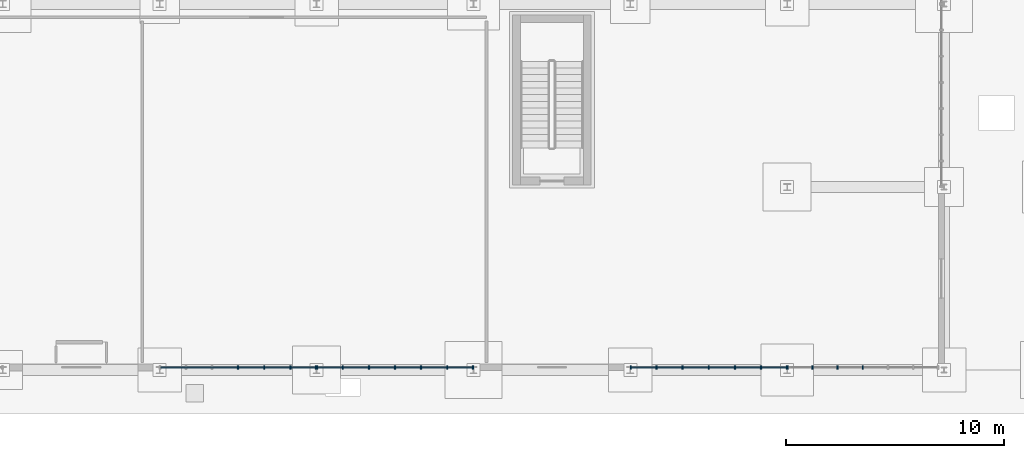
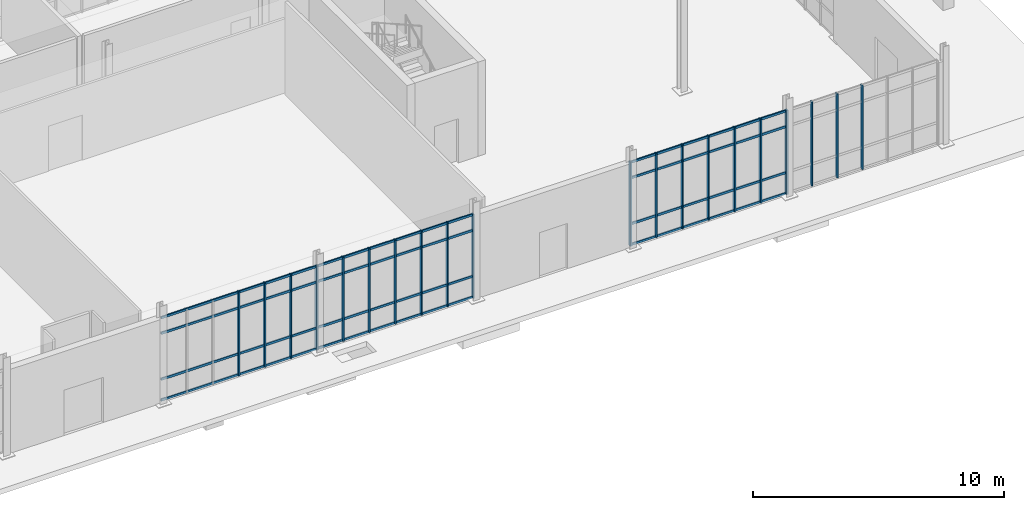
# One storey, part 46 of 118: 34 members, 4 elements without a shape of their own.
"""IFC4 building model written with IfcOpenShell, lengths in metres."""

from ifc_helpers import new_model, si_unit, direction, frame, origin, origin_2d, place, context, subcontext, project, spatial, rectangle, extrude, material, material_profile, profile_set, type_object, element, aggregate, save


model = new_model("IFC4")

# Units and contexts
model_context = context("Model", 3, precision=1e-05, world=origin(), true_north=direction((0.0, 1.0)))
body_context = subcontext(model_context, "Body", "Model", "MODEL_VIEW")
ifc_project = project(units=[si_unit("LENGTHUNIT", "METRE"), si_unit("AREAUNIT", "SQUARE_METRE"), si_unit("VOLUMEUNIT", "CUBIC_METRE"), si_unit("PLANEANGLEUNIT", "RADIAN"), si_unit("MASSUNIT", "GRAM", prefix="KILO")], contexts=[model_context])

# Site, building, storey
site_placement = place(None, origin())
site = spatial("IfcSite", under=ifc_project, at=site_placement, CompositionType="ELEMENT")
building_placement = place(site_placement, origin())
building = spatial("IfcBuilding", under=site, at=building_placement, Name="Qelthora Terrace Specialist Clinic", CompositionType="ELEMENT")
storey_placement = place(building_placement, origin())
storey = spatial("IfcBuildingStorey", under=building, at=storey_placement, Name="L00", CompositionType="ELEMENT", Elevation=0.0)

# Curtain wall, members
ifc_material = material(Name="Aluminium anodized bronze", Category="aluminium")
curtain_wall_type = type_object("IfcCurtainWallType", Name="CW-CONS-X", PredefinedType="NOTDEFINED", material=ifc_material)
curtain_wall_1_placement = place(storey_placement, origin())
curtain_wall_1 = element("IfcCurtainWall", 1, at=curtain_wall_1_placement, inside=storey, type_object=curtain_wall_type, Name="Curtain wall CW-L00-207", PredefinedType="NOTDEFINED")
ifc_material_profile_1 = material_profile(ifc_material, rectangle(XDim=0.06005859375, YDim=0.14990234375, at=origin_2d()), Name="CWM60X150")
ifc_profile_set_1 = profile_set([ifc_material_profile_1], Name="Aluminium anodized bronze")
member_type_1 = type_object("IfcMemberType", Name="CWM-60X150", PredefinedType="MULLION", material=ifc_profile_set_1)
member_1_placement = place(storey_placement, frame((126.0, 0.1201171875, 0.0), z_axis=(0.0, 0.0, 1.0), x_axis=(1.0, 0.0, 0.0)))
member_1 = element("IfcMember", 2, at=member_1_placement, type_object=member_type_1, Name="CW-L00-207 mullion 4", PredefinedType="MULLION", context=body_context, shape_type="SweptSolid", body=[
    extrude(rectangle(XDim=0.06005859375, YDim=0.14990234375, at=origin_2d()), origin(), (0.0, 0.0, 1.0), 4.08203125),
])
member_2_placement = place(storey_placement, frame((127.199951171875, 0.1201171875, 0.0), z_axis=(0.0, 0.0, 1.0), x_axis=(1.0, 0.0, 0.0)))
member_2 = element("IfcMember", 3, at=member_2_placement, type_object=member_type_1, Name="CW-L00-207 mullion 5", PredefinedType="MULLION", context=body_context, shape_type="SweptSolid", body=[
    extrude(rectangle(XDim=0.06005859375, YDim=0.14990234375, at=origin_2d()), origin(), (0.0, 0.0, 1.0), 4.08203125),
])
member_3_placement = place(storey_placement, frame((128.39990234375, 0.1201171875, 0.0), z_axis=(0.0, 0.0, 1.0), x_axis=(1.0, 0.0, 0.0)))
member_3 = element("IfcMember", 4, at=member_3_placement, type_object=member_type_1, Name="CW-L00-207 mullion 6", PredefinedType="MULLION", context=body_context, shape_type="SweptSolid", body=[
    extrude(rectangle(XDim=0.06005859375, YDim=0.14990234375, at=origin_2d()), origin(), (0.0, 0.0, 1.0), 4.08203125),
])
member_4_placement = place(storey_placement, frame((129.580078125, 0.1201171875, 0.0), z_axis=(0.0, 0.0, 1.0), x_axis=(1.0, 0.0, 0.0)))
member_4 = element("IfcMember", 5, at=member_4_placement, type_object=member_type_1, Name="CW-L00-207 mullion 7", PredefinedType="MULLION", context=body_context, shape_type="SweptSolid", body=[
    extrude(rectangle(XDim=0.06005859375, YDim=0.14990234375, at=origin_2d()), origin(), (0.0, 0.0, 1.0), 4.08203125),
])

curtain_wall_2_placement = place(storey_placement, origin())
curtain_wall_2 = element("IfcCurtainWall", 6, at=curtain_wall_2_placement, inside=storey, type_object=curtain_wall_type, Name="Curtain wall CW-L00-208", PredefinedType="NOTDEFINED")
member_5_placement = place(storey_placement, frame((129.6201171875, 0.1201171875, 0.0), z_axis=(0.0, 0.0, 1.0), x_axis=(1.0, 0.0, 0.0)))
member_5 = element("IfcMember", 7, at=member_5_placement, type_object=member_type_1, Name="CW-L00-208 mullion 1", PredefinedType="MULLION", context=body_context, shape_type="SweptSolid", body=[
    extrude(rectangle(XDim=0.06005859375, YDim=0.14990234375, at=origin_2d()), origin(), (0.0, 0.0, 1.0), 4.08203125),
])
member_6_placement = place(storey_placement, frame((130.800048828125, 0.1201171875, 0.0), z_axis=(0.0, 0.0, 1.0), x_axis=(1.0, 0.0, 0.0)))
member_6 = element("IfcMember", 8, at=member_6_placement, type_object=member_type_1, Name="CW-L00-208 mullion 2", PredefinedType="MULLION", context=body_context, shape_type="SweptSolid", body=[
    extrude(rectangle(XDim=0.06005859375, YDim=0.14990234375, at=origin_2d()), origin(), (0.0, 0.0, 1.0), 4.08203125),
])
member_7_placement = place(storey_placement, frame((132.0, 0.1201171875, 0.0), z_axis=(0.0, 0.0, 1.0), x_axis=(1.0, 0.0, 0.0)))
member_7 = element("IfcMember", 9, at=member_7_placement, type_object=member_type_1, Name="CW-L00-208 mullion 3", PredefinedType="MULLION", context=body_context, shape_type="SweptSolid", body=[
    extrude(rectangle(XDim=0.06005859375, YDim=0.14990234375, at=origin_2d()), origin(), (0.0, 0.0, 1.0), 4.08203125),
])
member_8_placement = place(storey_placement, frame((133.199951171875, 0.1201171875, 0.0), z_axis=(0.0, 0.0, 1.0), x_axis=(1.0, 0.0, 0.0)))
member_8 = element("IfcMember", 10, at=member_8_placement, type_object=member_type_1, Name="CW-L00-208 mullion 4", PredefinedType="MULLION", context=body_context, shape_type="SweptSolid", body=[
    extrude(rectangle(XDim=0.06005859375, YDim=0.14990234375, at=origin_2d()), origin(), (0.0, 0.0, 1.0), 4.08203125),
])
member_9_placement = place(storey_placement, frame((134.39990234375, 0.1201171875, 0.0), z_axis=(0.0, 0.0, 1.0), x_axis=(1.0, 0.0, 0.0)))
member_9 = element("IfcMember", 11, at=member_9_placement, type_object=member_type_1, Name="CW-L00-208 mullion 5", PredefinedType="MULLION", context=body_context, shape_type="SweptSolid", body=[
    extrude(rectangle(XDim=0.06005859375, YDim=0.14990234375, at=origin_2d()), origin(), (0.0, 0.0, 1.0), 4.08203125),
])
member_10_placement = place(storey_placement, frame((135.60009765625, 0.1201171875, 0.0), z_axis=(0.0, 0.0, 1.0), x_axis=(1.0, 0.0, 0.0)))
member_10 = element("IfcMember", 12, at=member_10_placement, type_object=member_type_1, Name="CW-L00-208 mullion 6", PredefinedType="MULLION", context=body_context, shape_type="SweptSolid", body=[
    extrude(rectangle(XDim=0.06005859375, YDim=0.14990234375, at=origin_2d()), origin(), (0.0, 0.0, 1.0), 4.08203125),
])
member_11_placement = place(storey_placement, frame((136.780029296875, 0.1201171875, 0.0), z_axis=(0.0, 0.0, 1.0), x_axis=(1.0, 0.0, 0.0)))
member_11 = element("IfcMember", 13, at=member_11_placement, type_object=member_type_1, Name="CW-L00-208 mullion 7", PredefinedType="MULLION", context=body_context, shape_type="SweptSolid", body=[
    extrude(rectangle(XDim=0.06005859375, YDim=0.14990234375, at=origin_2d()), origin(), (0.0, 0.0, 1.0), 4.08203125),
])

curtain_wall_3_placement = place(storey_placement, origin())
curtain_wall_3 = element("IfcCurtainWall", 14, at=curtain_wall_3_placement, inside=storey, type_object=curtain_wall_type, Name="Curtain wall CW-L00-209", PredefinedType="NOTDEFINED")
member_12_placement = place(storey_placement, frame((144.02001953125, 0.1201171875, 0.0), z_axis=(0.0, 0.0, 1.0), x_axis=(1.0, 0.0, 0.0)))
member_12 = element("IfcMember", 15, at=member_12_placement, type_object=member_type_1, Name="CW-L00-209 mullion 1", PredefinedType="MULLION", context=body_context, shape_type="SweptSolid", body=[
    extrude(rectangle(XDim=0.06005859375, YDim=0.14990234375, at=origin_2d()), origin(), (0.0, 0.0, 1.0), 4.08203125),
])
member_13_placement = place(storey_placement, frame((145.199951171875, 0.1201171875, 0.0), z_axis=(0.0, 0.0, 1.0), x_axis=(1.0, 0.0, 0.0)))
member_13 = element("IfcMember", 16, at=member_13_placement, type_object=member_type_1, Name="CW-L00-209 mullion 2", PredefinedType="MULLION", context=body_context, shape_type="SweptSolid", body=[
    extrude(rectangle(XDim=0.06005859375, YDim=0.14990234375, at=origin_2d()), origin(), (0.0, 0.0, 1.0), 4.08203125),
])
member_14_placement = place(storey_placement, frame((146.39990234375, 0.1201171875, 0.0), z_axis=(0.0, 0.0, 1.0), x_axis=(1.0, 0.0, 0.0)))
member_14 = element("IfcMember", 17, at=member_14_placement, type_object=member_type_1, Name="CW-L00-209 mullion 3", PredefinedType="MULLION", context=body_context, shape_type="SweptSolid", body=[
    extrude(rectangle(XDim=0.06005859375, YDim=0.14990234375, at=origin_2d()), origin(), (0.0, 0.0, 1.0), 4.08203125),
])
member_15_placement = place(storey_placement, frame((147.60009765625, 0.1201171875, 0.0), z_axis=(0.0, 0.0, 1.0), x_axis=(1.0, 0.0, 0.0)))
member_15 = element("IfcMember", 18, at=member_15_placement, type_object=member_type_1, Name="CW-L00-209 mullion 4", PredefinedType="MULLION", context=body_context, shape_type="SweptSolid", body=[
    extrude(rectangle(XDim=0.06005859375, YDim=0.14990234375, at=origin_2d()), origin(), (0.0, 0.0, 1.0), 4.08203125),
])
member_16_placement = place(storey_placement, frame((148.800048828125, 0.1201171875, 0.0), z_axis=(0.0, 0.0, 1.0), x_axis=(1.0, 0.0, 0.0)))
member_16 = element("IfcMember", 19, at=member_16_placement, type_object=member_type_1, Name="CW-L00-209 mullion 5", PredefinedType="MULLION", context=body_context, shape_type="SweptSolid", body=[
    extrude(rectangle(XDim=0.06005859375, YDim=0.14990234375, at=origin_2d()), origin(), (0.0, 0.0, 1.0), 4.08203125),
])
member_17_placement = place(storey_placement, frame((150.0, 0.1201171875, 0.0), z_axis=(0.0, 0.0, 1.0), x_axis=(1.0, 0.0, 0.0)))
member_17 = element("IfcMember", 20, at=member_17_placement, type_object=member_type_1, Name="CW-L00-209 mullion 6", PredefinedType="MULLION", context=body_context, shape_type="SweptSolid", body=[
    extrude(rectangle(XDim=0.06005859375, YDim=0.14990234375, at=origin_2d()), origin(), (0.0, 0.0, 1.0), 4.08203125),
])
member_18_placement = place(storey_placement, frame((151.179931640625, 0.1201171875, 0.0), z_axis=(0.0, 0.0, 1.0), x_axis=(1.0, 0.0, 0.0)))
member_18 = element("IfcMember", 21, at=member_18_placement, type_object=member_type_1, Name="CW-L00-209 mullion 7", PredefinedType="MULLION", context=body_context, shape_type="SweptSolid", body=[
    extrude(rectangle(XDim=0.06005859375, YDim=0.14990234375, at=origin_2d()), origin(), (0.0, 0.0, 1.0), 4.08203125),
])

curtain_wall_4_placement = place(storey_placement, origin())
curtain_wall_4 = element("IfcCurtainWall", 22, at=curtain_wall_4_placement, inside=storey, type_object=curtain_wall_type, Name="Curtain wall CW-L00-210", PredefinedType="NOTDEFINED")
member_19_placement = place(storey_placement, frame((151.219970703125, 0.1201171875, 0.0), z_axis=(0.0, 0.0, 1.0), x_axis=(1.0, 0.0, 0.0)))
member_19 = element("IfcMember", 23, at=member_19_placement, type_object=member_type_1, Name="CW-L00-210 mullion 1", PredefinedType="MULLION", context=body_context, shape_type="SweptSolid", body=[
    extrude(rectangle(XDim=0.06005859375, YDim=0.14990234375, at=origin_2d()), origin(), (0.0, 0.0, 1.0), 4.08203125),
])
member_20_placement = place(storey_placement, frame((152.356689453125, 0.1201171875, 0.0), z_axis=(0.0, 0.0, 1.0), x_axis=(1.0, 0.0, 0.0)))
member_20 = element("IfcMember", 24, at=member_20_placement, type_object=member_type_1, Name="CW-L00-210 mullion 2", PredefinedType="MULLION", context=body_context, shape_type="SweptSolid", body=[
    extrude(rectangle(XDim=0.06005859375, YDim=0.14990234375, at=origin_2d()), origin(), (0.0, 0.0, 1.0), 4.08203125),
])
member_21_placement = place(storey_placement, frame((153.513427734375, 0.1201171875, 0.0), z_axis=(0.0, 0.0, 1.0), x_axis=(1.0, 0.0, 0.0)))
member_21 = element("IfcMember", 25, at=member_21_placement, type_object=member_type_1, Name="CW-L00-210 mullion 3", PredefinedType="MULLION", context=body_context, shape_type="SweptSolid", body=[
    extrude(rectangle(XDim=0.06005859375, YDim=0.14990234375, at=origin_2d()), origin(), (0.0, 0.0, 1.0), 4.08203125),
])
member_22_placement = place(storey_placement, frame((154.669921875, 0.1201171875, 0.0), z_axis=(0.0, 0.0, 1.0), x_axis=(1.0, 0.0, 0.0)))
member_22 = element("IfcMember", 26, at=member_22_placement, type_object=member_type_1, Name="CW-L00-210 mullion 4", PredefinedType="MULLION", context=body_context, shape_type="SweptSolid", body=[
    extrude(rectangle(XDim=0.06005859375, YDim=0.14990234375, at=origin_2d()), origin(), (0.0, 0.0, 1.0), 4.08203125),
])
aggregate(curtain_wall_4, [member_19, member_20, member_21, member_22])

# Member
ifc_material_profile_2 = material_profile(ifc_material, rectangle(XDim=0.06005859375, YDim=0.110107421875, at=origin_2d()), Name="CWT60X110")
ifc_profile_set_2 = profile_set([ifc_material_profile_2], Name="Aluminium anodized bronze")
member_type_2 = type_object("IfcMemberType", Name="CWT-60X110", PredefinedType="USERDEFINED", material=ifc_profile_set_2)
member_23_placement = place(storey_placement, frame((122.43994140625, 0.1201171875, 0.0400390625), z_axis=(1.0, 0.0, 0.0), x_axis=(0.0, 1.0, 0.0)))
member_23 = element("IfcMember", 27, at=member_23_placement, type_object=member_type_2, Name="CW-L00-207 transom 1", ObjectType="TRANSOM", PredefinedType="USERDEFINED", context=body_context, shape_type="SweptSolid", body=[
    extrude(rectangle(XDim=0.06005859375, YDim=0.110107421875, at=origin_2d()), origin(), (0.0, 0.0, 1.0), 7.1201171875),
])

member_24_placement = place(storey_placement, frame((122.43994140625, 0.1201171875, 1.050048828125), z_axis=(1.0, 0.0, 0.0), x_axis=(0.0, 1.0, 0.0)))
member_24 = element("IfcMember", 28, at=member_24_placement, type_object=member_type_2, Name="CW-L00-207 transom 2", ObjectType="TRANSOM", PredefinedType="USERDEFINED", context=body_context, shape_type="SweptSolid", body=[
    extrude(rectangle(XDim=0.06005859375, YDim=0.110107421875, at=origin_2d()), origin(), (0.0, 0.0, 1.0), 7.1201171875),
])

member_25_placement = place(storey_placement, frame((122.43994140625, 0.1201171875, 3.281982421875), z_axis=(1.0, 0.0, 0.0), x_axis=(0.0, 1.0, 0.0)))
member_25 = element("IfcMember", 29, at=member_25_placement, type_object=member_type_2, Name="CW-L00-207 transom 3", ObjectType="TRANSOM", PredefinedType="USERDEFINED", context=body_context, shape_type="SweptSolid", body=[
    extrude(rectangle(XDim=0.06005859375, YDim=0.110107421875, at=origin_2d()), origin(), (0.0, 0.0, 1.0), 7.1201171875),
])

member_26_placement = place(storey_placement, frame((122.43994140625, 0.1201171875, 4.0419921875), z_axis=(1.0, 0.0, 0.0), x_axis=(0.0, 1.0, 0.0)))
member_26 = element("IfcMember", 30, at=member_26_placement, type_object=member_type_2, Name="CW-L00-207 transom 4", ObjectType="TRANSOM", PredefinedType="USERDEFINED", context=body_context, shape_type="SweptSolid", body=[
    extrude(rectangle(XDim=0.06005859375, YDim=0.110107421875, at=origin_2d()), origin(), (0.0, 0.0, 1.0), 7.1201171875),
])

aggregate(curtain_wall_1, [member_1, member_2, member_3, member_4, member_23, member_24, member_25, member_26])

member_27_placement = place(storey_placement, frame((129.639892578125, 0.1201171875, 0.0400390625), z_axis=(1.0, 0.0, 0.0), x_axis=(0.0, 1.0, 0.0)))
member_27 = element("IfcMember", 31, at=member_27_placement, type_object=member_type_2, Name="CW-L00-208 transom 1", ObjectType="TRANSOM", PredefinedType="USERDEFINED", context=body_context, shape_type="SweptSolid", body=[
    extrude(rectangle(XDim=0.06005859375, YDim=0.110107421875, at=origin_2d()), origin(), (0.0, 0.0, 1.0), 7.1201171875),
])

member_28_placement = place(storey_placement, frame((129.639892578125, 0.1201171875, 1.050048828125), z_axis=(1.0, 0.0, 0.0), x_axis=(0.0, 1.0, 0.0)))
member_28 = element("IfcMember", 32, at=member_28_placement, type_object=member_type_2, Name="CW-L00-208 transom 2", ObjectType="TRANSOM", PredefinedType="USERDEFINED", context=body_context, shape_type="SweptSolid", body=[
    extrude(rectangle(XDim=0.06005859375, YDim=0.110107421875, at=origin_2d()), origin(), (0.0, 0.0, 1.0), 7.1201171875),
])

member_29_placement = place(storey_placement, frame((129.639892578125, 0.1201171875, 3.281982421875), z_axis=(1.0, 0.0, 0.0), x_axis=(0.0, 1.0, 0.0)))
member_29 = element("IfcMember", 33, at=member_29_placement, type_object=member_type_2, Name="CW-L00-208 transom 3", ObjectType="TRANSOM", PredefinedType="USERDEFINED", context=body_context, shape_type="SweptSolid", body=[
    extrude(rectangle(XDim=0.06005859375, YDim=0.110107421875, at=origin_2d()), origin(), (0.0, 0.0, 1.0), 7.1201171875),
])

member_30_placement = place(storey_placement, frame((129.639892578125, 0.1201171875, 4.0419921875), z_axis=(1.0, 0.0, 0.0), x_axis=(0.0, 1.0, 0.0)))
member_30 = element("IfcMember", 34, at=member_30_placement, type_object=member_type_2, Name="CW-L00-208 transom 4", ObjectType="TRANSOM", PredefinedType="USERDEFINED", context=body_context, shape_type="SweptSolid", body=[
    extrude(rectangle(XDim=0.06005859375, YDim=0.110107421875, at=origin_2d()), origin(), (0.0, 0.0, 1.0), 7.1201171875),
])

aggregate(curtain_wall_2, [member_5, member_6, member_7, member_8, member_9, member_10, member_11, member_27, member_28, member_29, member_30])

member_31_placement = place(storey_placement, frame((144.0400390625, 0.1201171875, 0.0400390625), z_axis=(1.0, 0.0, 0.0), x_axis=(0.0, 1.0, 0.0)))
member_31 = element("IfcMember", 35, at=member_31_placement, type_object=member_type_2, Name="CW-L00-209 transom 1", ObjectType="TRANSOM", PredefinedType="USERDEFINED", context=body_context, shape_type="SweptSolid", body=[
    extrude(rectangle(XDim=0.06005859375, YDim=0.110107421875, at=origin_2d()), origin(), (0.0, 0.0, 1.0), 7.119873046875),
])

member_32_placement = place(storey_placement, frame((144.0400390625, 0.1201171875, 1.050048828125), z_axis=(1.0, 0.0, 0.0), x_axis=(0.0, 1.0, 0.0)))
member_32 = element("IfcMember", 36, at=member_32_placement, type_object=member_type_2, Name="CW-L00-209 transom 2", ObjectType="TRANSOM", PredefinedType="USERDEFINED", context=body_context, shape_type="SweptSolid", body=[
    extrude(rectangle(XDim=0.06005859375, YDim=0.110107421875, at=origin_2d()), origin(), (0.0, 0.0, 1.0), 7.119873046875),
])

member_33_placement = place(storey_placement, frame((144.0400390625, 0.1201171875, 3.281982421875), z_axis=(1.0, 0.0, 0.0), x_axis=(0.0, 1.0, 0.0)))
member_33 = element("IfcMember", 37, at=member_33_placement, type_object=member_type_2, Name="CW-L00-209 transom 3", ObjectType="TRANSOM", PredefinedType="USERDEFINED", context=body_context, shape_type="SweptSolid", body=[
    extrude(rectangle(XDim=0.06005859375, YDim=0.110107421875, at=origin_2d()), origin(), (0.0, 0.0, 1.0), 7.119873046875),
])

member_34_placement = place(storey_placement, frame((144.0400390625, 0.1201171875, 4.0419921875), z_axis=(1.0, 0.0, 0.0), x_axis=(0.0, 1.0, 0.0)))
member_34 = element("IfcMember", 38, at=member_34_placement, type_object=member_type_2, Name="CW-L00-209 transom 4", ObjectType="TRANSOM", PredefinedType="USERDEFINED", context=body_context, shape_type="SweptSolid", body=[
    extrude(rectangle(XDim=0.06005859375, YDim=0.110107421875, at=origin_2d()), origin(), (0.0, 0.0, 1.0), 7.119873046875),
])

aggregate(curtain_wall_3, [member_12, member_13, member_14, member_15, member_16, member_17, member_18, member_31, member_32, member_33, member_34])

save(model, "model.ifc")
